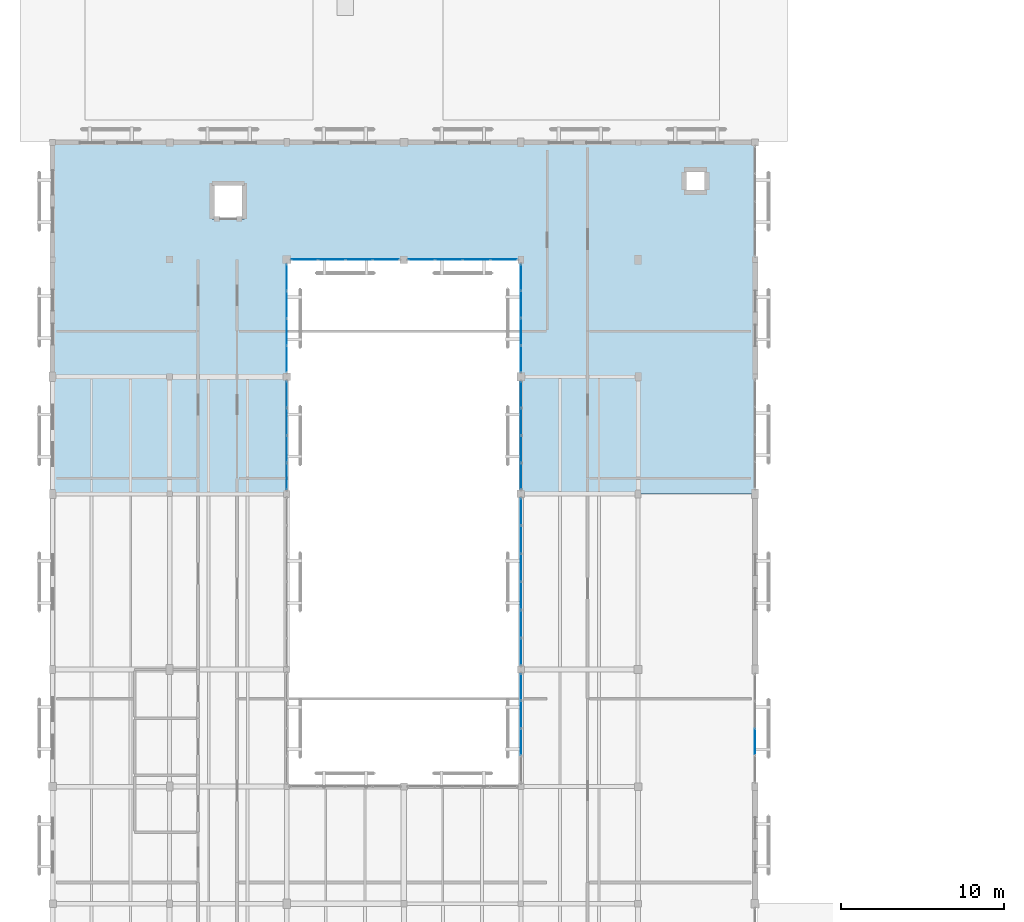
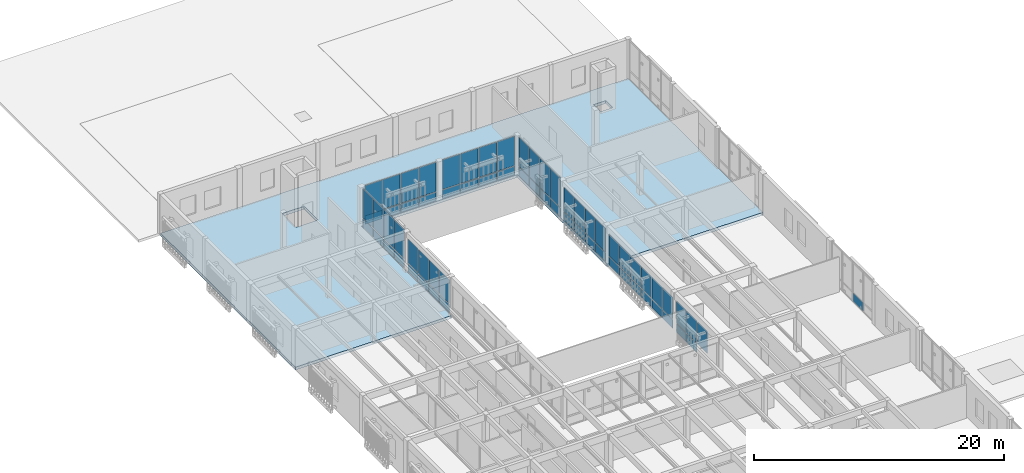
# One storey, part 41 of 61: 66 plates, 1 slab, 9 elements without a shape of their own.
"""IFC4 building model written with IfcOpenShell, lengths in metres."""

from ifc_helpers import new_model, si_unit, direction, frame, origin, origin_2d, place, context, subcontext, project, spatial, polyline, rectangle, outline, extrude, material, layer, layer_set, type_object, element, aggregate, save


model = new_model("IFC4")

# Units and contexts
model_context = context("Model", 3, precision=1e-05, world=origin(), true_north=direction((0.0, 1.0)))
body_context = subcontext(model_context, "Body", "Model", "MODEL_VIEW")
ifc_project = project(units=[si_unit("LENGTHUNIT", "METRE"), si_unit("AREAUNIT", "SQUARE_METRE"), si_unit("VOLUMEUNIT", "CUBIC_METRE"), si_unit("PLANEANGLEUNIT", "RADIAN"), si_unit("MASSUNIT", "GRAM", prefix="KILO")], contexts=[model_context])

# Site, building, storey
site_placement = place(None, origin())
site = spatial("IfcSite", under=ifc_project, at=site_placement, CompositionType="ELEMENT")
building_placement = place(site_placement, origin())
building = spatial("IfcBuilding", under=site, at=building_placement, Name="Mazaris Harbour Polytechnic", CompositionType="ELEMENT")
storey_placement = place(building_placement, frame((0.0, 0.0, 18.0)))
storey = spatial("IfcBuildingStorey", under=building, at=storey_placement, Name="L04", CompositionType="ELEMENT", Elevation=18.0)

# Slab
ifc_material_1 = material(Name="Glulam GL28h and Concrete C30/37", Category="concrete")
ifc_layer_1 = layer(ifc_material_1, 0.280029296875, Name="Glulam GL28h and Concrete C30/37")
ifc_layer_set_1 = layer_set([ifc_layer_1], Name="Glulam GL28h and Concrete C30/37")
slab_type = type_object("IfcSlabType", Name="CLT Composite Floor 280", PredefinedType="FLOOR", material=ifc_layer_set_1)
slab_placement = place(storey_placement, frame((0.0, 0.0, -0.280029296875)))
element("IfcSlab", 1, at=slab_placement, inside=storey, type_object=slab_type, Name="V4 L04 Floor Slab", PredefinedType="FLOOR", context=body_context, shape_type="SweptSolid", body=[
    extrude(outline(polyline([(43.199951171875, 54.0), (28.800048828125, 54.0), (28.800048828125, 68.39990234375), (14.39990234375, 68.39990234375), (14.39990234375, 54.0), (0.0, 54.0), (0.0, 75.60009765625), (43.199951171875, 75.60009765625), (43.199951171875, 54.0)]), holes=[polyline([(11.800048828125, 70.89990234375), (11.800048828125, 73.10009765625), (9.800048828125, 73.10009765625), (9.800048828125, 70.89990234375), (11.800048828125, 70.89990234375)]), polyline([(38.97998046875, 73.800048828125), (38.97998046875, 72.679931640625), (40.10009765625, 72.679931640625), (40.10009765625, 73.800048828125), (38.97998046875, 73.800048828125)])]), origin(), (0.0, 0.0, 1.0), 0.280029296875),
])

# Curtain wall, plate
ifc_material_2 = material(Name="Anodised Bronze Aluminium and Low-E Glass", Category="aluminium")
ifc_layer_2 = layer(ifc_material_2, 0.159912109375, Name="Anodised Bronze Aluminium and Low-E Glass")
ifc_layer_set_2 = layer_set([ifc_layer_2], Name="Anodised Bronze Aluminium and Low-E Glass")
curtain_wall_type = type_object("IfcCurtainWallType", Name="Cloister Court Curtain Wall", PredefinedType="NOTDEFINED", material=ifc_layer_set_2)
curtain_wall_1_placement = place(storey_placement, origin())
curtain_wall_1 = element("IfcCurtainWall", 2, at=curtain_wall_1_placement, inside=storey, type_object=curtain_wall_type, Name="V4 L04 Curtain Wall 164", PredefinedType="NOTDEFINED")
ifc_material_3 = material(Name="Low-E Double Glazing", Category="glass")
ifc_layer_3 = layer(ifc_material_3, 0.028076171875, Name="Low-E Double Glazing")
ifc_layer_set_3 = layer_set([ifc_layer_3], Name="Low-E Double Glazing")
plate_type = type_object("IfcPlateType", Name="Low-E Vision Glass Panel 28", PredefinedType="CURTAIN_PANEL", material=ifc_layer_set_3)
plate_1_placement = place(storey_placement, frame((43.199951171875, 38.746826171875, 0.080078125), z_axis=(0.0, 0.0, 1.0), x_axis=(0.0, -1.0, 0.0)))
plate_1 = element("IfcPlate", 3, at=plate_1_placement, type_object=plate_type, Name="CW-02 panel 3.1", PredefinedType="CURTAIN_PANEL", context=body_context, shape_type="SweptSolid", body=[
    extrude(rectangle(XDim=1.596435546875, YDim=0.028076171875, at=origin_2d()), origin(), (0.0, 0.0, 1.0), 0.830078125),
])
aggregate(curtain_wall_1, [plate_1])

# Curtain wall, plates
curtain_wall_2_placement = place(storey_placement, origin())
curtain_wall_2 = element("IfcCurtainWall", 4, at=curtain_wall_2_placement, inside=storey, type_object=curtain_wall_type, Name="V4 L04 Curtain Wall 169", PredefinedType="NOTDEFINED")
plate_2_placement = place(storey_placement, frame((20.51611328125, 68.39990234375, 0.080078125), z_axis=(0.0, 0.0, 1.0), x_axis=(-1.0, 0.0, 0.0)))
plate_2 = element("IfcPlate", 5, at=plate_2_placement, type_object=plate_type, Name="CW-02 panel 1.1", PredefinedType="CURTAIN_PANEL", context=body_context, shape_type="SweptSolid", body=[
    extrude(rectangle(XDim=1.56396484375, YDim=0.028076171875, at=origin_2d()), origin(), (0.0, 0.0, 1.0), 0.830078125),
])
plate_3_placement = place(storey_placement, frame((20.51611328125, 68.39990234375, 0.990234375), z_axis=(0.0, 0.0, 1.0), x_axis=(-1.0, 0.0, 0.0)))
plate_3 = element("IfcPlate", 6, at=plate_3_placement, type_object=plate_type, Name="CW-02 panel 1.2", PredefinedType="CURTAIN_PANEL", context=body_context, shape_type="SweptSolid", body=[
    extrude(rectangle(XDim=1.56396484375, YDim=0.028076171875, at=origin_2d()), origin(), (0.0, 0.0, 1.0), 2.864990234375),
])
plate_4_placement = place(storey_placement, frame((18.85205078125, 68.39990234375, 0.080078125), z_axis=(0.0, 0.0, 1.0), x_axis=(-1.0, 0.0, 0.0)))
plate_4 = element("IfcPlate", 7, at=plate_4_placement, type_object=plate_type, Name="CW-02 panel 2.1", PredefinedType="CURTAIN_PANEL", context=body_context, shape_type="SweptSolid", body=[
    extrude(rectangle(XDim=1.60400390625, YDim=0.028076171875, at=origin_2d()), origin(), (0.0, 0.0, 1.0), 0.830078125),
])
plate_5_placement = place(storey_placement, frame((18.85205078125, 68.39990234375, 0.990234375), z_axis=(0.0, 0.0, 1.0), x_axis=(-1.0, 0.0, 0.0)))
plate_5 = element("IfcPlate", 8, at=plate_5_placement, type_object=plate_type, Name="CW-02 panel 2.2", PredefinedType="CURTAIN_PANEL", context=body_context, shape_type="SweptSolid", body=[
    extrude(rectangle(XDim=1.60400390625, YDim=0.028076171875, at=origin_2d()), origin(), (0.0, 0.0, 1.0), 2.864990234375),
])
plate_6_placement = place(storey_placement, frame((17.16796875, 68.39990234375, 0.080078125), z_axis=(0.0, 0.0, 1.0), x_axis=(-1.0, 0.0, 0.0)))
plate_6 = element("IfcPlate", 9, at=plate_6_placement, type_object=plate_type, Name="CW-02 panel 3.1", PredefinedType="CURTAIN_PANEL", context=body_context, shape_type="SweptSolid", body=[
    extrude(rectangle(XDim=1.60400390625, YDim=0.028076171875, at=origin_2d()), origin(), (0.0, 0.0, 1.0), 0.830078125),
])
plate_7_placement = place(storey_placement, frame((17.16796875, 68.39990234375, 0.990234375), z_axis=(0.0, 0.0, 1.0), x_axis=(-1.0, 0.0, 0.0)))
plate_7 = element("IfcPlate", 10, at=plate_7_placement, type_object=plate_type, Name="CW-02 panel 3.2", PredefinedType="CURTAIN_PANEL", context=body_context, shape_type="SweptSolid", body=[
    extrude(rectangle(XDim=1.60400390625, YDim=0.028076171875, at=origin_2d()), origin(), (0.0, 0.0, 1.0), 2.864990234375),
])
plate_8_placement = place(storey_placement, frame((15.50390625, 68.39990234375, 0.080078125), z_axis=(0.0, 0.0, 1.0), x_axis=(-1.0, 0.0, 0.0)))
plate_8 = element("IfcPlate", 11, at=plate_8_placement, type_object=plate_type, Name="CW-02 panel 4.1", PredefinedType="CURTAIN_PANEL", context=body_context, shape_type="SweptSolid", body=[
    extrude(rectangle(XDim=1.56396484375, YDim=0.028076171875, at=origin_2d()), origin(), (0.0, 0.0, 1.0), 0.830078125),
])
plate_9_placement = place(storey_placement, frame((15.50390625, 68.39990234375, 0.990234375), z_axis=(0.0, 0.0, 1.0), x_axis=(-1.0, 0.0, 0.0)))
plate_9 = element("IfcPlate", 12, at=plate_9_placement, type_object=plate_type, Name="CW-02 panel 4.2", PredefinedType="CURTAIN_PANEL", context=body_context, shape_type="SweptSolid", body=[
    extrude(rectangle(XDim=1.56396484375, YDim=0.028076171875, at=origin_2d()), origin(), (0.0, 0.0, 1.0), 2.864990234375),
])
aggregate(curtain_wall_2, [plate_2, plate_3, plate_4, plate_5, plate_6, plate_7, plate_8, plate_9])

curtain_wall_3_placement = place(storey_placement, origin())
curtain_wall_3 = element("IfcCurtainWall", 13, at=curtain_wall_3_placement, inside=storey, type_object=curtain_wall_type, Name="V4 L04 Curtain Wall 170", PredefinedType="NOTDEFINED")
plate_10_placement = place(storey_placement, frame((27.75732421875, 68.39990234375, 0.080078125), z_axis=(0.0, 0.0, 1.0), x_axis=(-1.0, 0.0, 0.0)))
plate_10 = element("IfcPlate", 14, at=plate_10_placement, type_object=plate_type, Name="CW-02 panel 1.1", PredefinedType="CURTAIN_PANEL", context=body_context, shape_type="SweptSolid", body=[
    extrude(rectangle(XDim=1.58154296875, YDim=0.028076171875, at=origin_2d()), origin(), (0.0, 0.0, 1.0), 0.830078125),
])
plate_11_placement = place(storey_placement, frame((27.75732421875, 68.39990234375, 0.990234375), z_axis=(0.0, 0.0, 1.0), x_axis=(-1.0, 0.0, 0.0)))
plate_11 = element("IfcPlate", 15, at=plate_11_placement, type_object=plate_type, Name="CW-02 panel 1.2", PredefinedType="CURTAIN_PANEL", context=body_context, shape_type="SweptSolid", body=[
    extrude(rectangle(XDim=1.58154296875, YDim=0.028076171875, at=origin_2d()), origin(), (0.0, 0.0, 1.0), 2.864990234375),
])
plate_12_placement = place(storey_placement, frame((26.07568359375, 68.39990234375, 0.080078125), z_axis=(0.0, 0.0, 1.0), x_axis=(-1.0, 0.0, 0.0)))
plate_12 = element("IfcPlate", 16, at=plate_12_placement, type_object=plate_type, Name="CW-02 panel 2.1", PredefinedType="CURTAIN_PANEL", context=body_context, shape_type="SweptSolid", body=[
    extrude(rectangle(XDim=1.62158203125, YDim=0.028076171875, at=origin_2d()), origin(), (0.0, 0.0, 1.0), 0.830078125),
])
plate_13_placement = place(storey_placement, frame((26.07568359375, 68.39990234375, 0.990234375), z_axis=(0.0, 0.0, 1.0), x_axis=(-1.0, 0.0, 0.0)))
plate_13 = element("IfcPlate", 17, at=plate_13_placement, type_object=plate_type, Name="CW-02 panel 2.2", PredefinedType="CURTAIN_PANEL", context=body_context, shape_type="SweptSolid", body=[
    extrude(rectangle(XDim=1.62158203125, YDim=0.028076171875, at=origin_2d()), origin(), (0.0, 0.0, 1.0), 2.864990234375),
])
plate_14_placement = place(storey_placement, frame((24.374267578125, 68.39990234375, 0.080078125), z_axis=(0.0, 0.0, 1.0), x_axis=(-1.0, 0.0, 0.0)))
plate_14 = element("IfcPlate", 18, at=plate_14_placement, type_object=plate_type, Name="CW-02 panel 3.1", PredefinedType="CURTAIN_PANEL", context=body_context, shape_type="SweptSolid", body=[
    extrude(rectangle(XDim=1.62158203125, YDim=0.028076171875, at=origin_2d()), origin(), (0.0, 0.0, 1.0), 0.830078125),
])
plate_15_placement = place(storey_placement, frame((24.374267578125, 68.39990234375, 0.990234375), z_axis=(0.0, 0.0, 1.0), x_axis=(-1.0, 0.0, 0.0)))
plate_15 = element("IfcPlate", 19, at=plate_15_placement, type_object=plate_type, Name="CW-02 panel 3.2", PredefinedType="CURTAIN_PANEL", context=body_context, shape_type="SweptSolid", body=[
    extrude(rectangle(XDim=1.62158203125, YDim=0.028076171875, at=origin_2d()), origin(), (0.0, 0.0, 1.0), 2.864990234375),
])
plate_16_placement = place(storey_placement, frame((22.69287109375, 68.39990234375, 0.080078125), z_axis=(0.0, 0.0, 1.0), x_axis=(-1.0, 0.0, 0.0)))
plate_16 = element("IfcPlate", 20, at=plate_16_placement, type_object=plate_type, Name="CW-02 panel 4.1", PredefinedType="CURTAIN_PANEL", context=body_context, shape_type="SweptSolid", body=[
    extrude(rectangle(XDim=1.58154296875, YDim=0.028076171875, at=origin_2d()), origin(), (0.0, 0.0, 1.0), 0.830078125),
])
plate_17_placement = place(storey_placement, frame((22.69287109375, 68.39990234375, 0.990234375), z_axis=(0.0, 0.0, 1.0), x_axis=(-1.0, 0.0, 0.0)))
plate_17 = element("IfcPlate", 21, at=plate_17_placement, type_object=plate_type, Name="CW-02 panel 4.2", PredefinedType="CURTAIN_PANEL", context=body_context, shape_type="SweptSolid", body=[
    extrude(rectangle(XDim=1.58154296875, YDim=0.028076171875, at=origin_2d()), origin(), (0.0, 0.0, 1.0), 2.864990234375),
])
aggregate(curtain_wall_3, [plate_10, plate_11, plate_12, plate_13, plate_14, plate_15, plate_16, plate_17])

curtain_wall_4_placement = place(storey_placement, origin())
curtain_wall_4 = element("IfcCurtainWall", 22, at=curtain_wall_4_placement, inside=storey, type_object=curtain_wall_type, Name="V4 L04 Curtain Wall 173", PredefinedType="NOTDEFINED")
plate_18_placement = place(storey_placement, frame((14.39990234375, 55.069091796875, 0.080078125), z_axis=(0.0, 0.0, 1.0), x_axis=(0.0, 1.0, 0.0)))
plate_18 = element("IfcPlate", 23, at=plate_18_placement, type_object=plate_type, Name="CW-02 panel 1.1", PredefinedType="CURTAIN_PANEL", context=body_context, shape_type="SweptSolid", body=[
    extrude(rectangle(XDim=1.573974609375, YDim=0.028076171875, at=origin_2d()), origin(), (0.0, 0.0, 1.0), 0.830078125),
])
plate_19_placement = place(storey_placement, frame((14.39990234375, 55.069091796875, 0.989990234375), z_axis=(0.0, 0.0, 1.0), x_axis=(0.0, 1.0, 0.0)))
plate_19 = element("IfcPlate", 24, at=plate_19_placement, type_object=plate_type, Name="CW-02 panel 1.2", PredefinedType="CURTAIN_PANEL", context=body_context, shape_type="SweptSolid", body=[
    extrude(rectangle(XDim=1.573974609375, YDim=0.028076171875, at=origin_2d()), origin(), (0.0, 0.0, 1.0), 2.3349609375),
])
plate_20_placement = place(storey_placement, frame((14.39990234375, 56.742919921875, 0.080078125), z_axis=(0.0, 0.0, 1.0), x_axis=(0.0, 1.0, 0.0)))
plate_20 = element("IfcPlate", 25, at=plate_20_placement, type_object=plate_type, Name="CW-02 panel 2.1", PredefinedType="CURTAIN_PANEL", context=body_context, shape_type="SweptSolid", body=[
    extrude(rectangle(XDim=1.614013671875, YDim=0.028076171875, at=origin_2d()), origin(), (0.0, 0.0, 1.0), 0.830078125),
])
plate_21_placement = place(storey_placement, frame((14.39990234375, 56.742919921875, 0.989990234375), z_axis=(0.0, 0.0, 1.0), x_axis=(0.0, 1.0, 0.0)))
plate_21 = element("IfcPlate", 26, at=plate_21_placement, type_object=plate_type, Name="CW-02 panel 2.2", PredefinedType="CURTAIN_PANEL", context=body_context, shape_type="SweptSolid", body=[
    extrude(rectangle(XDim=1.614013671875, YDim=0.028076171875, at=origin_2d()), origin(), (0.0, 0.0, 1.0), 2.3349609375),
])
plate_22_placement = place(storey_placement, frame((14.39990234375, 58.43701171875, 0.080078125), z_axis=(0.0, 0.0, 1.0), x_axis=(0.0, 1.0, 0.0)))
plate_22 = element("IfcPlate", 27, at=plate_22_placement, type_object=plate_type, Name="CW-02 panel 3.1", PredefinedType="CURTAIN_PANEL", context=body_context, shape_type="SweptSolid", body=[
    extrude(rectangle(XDim=1.614013671875, YDim=0.028076171875, at=origin_2d()), origin(), (0.0, 0.0, 1.0), 0.830078125),
])
plate_23_placement = place(storey_placement, frame((14.39990234375, 58.43701171875, 0.989990234375), z_axis=(0.0, 0.0, 1.0), x_axis=(0.0, 1.0, 0.0)))
plate_23 = element("IfcPlate", 28, at=plate_23_placement, type_object=plate_type, Name="CW-02 panel 3.2", PredefinedType="CURTAIN_PANEL", context=body_context, shape_type="SweptSolid", body=[
    extrude(rectangle(XDim=1.614013671875, YDim=0.028076171875, at=origin_2d()), origin(), (0.0, 0.0, 1.0), 2.3349609375),
])
plate_24_placement = place(storey_placement, frame((14.39990234375, 60.111083984375, 0.080078125), z_axis=(0.0, 0.0, 1.0), x_axis=(0.0, 1.0, 0.0)))
plate_24 = element("IfcPlate", 29, at=plate_24_placement, type_object=plate_type, Name="CW-02 panel 4.1", PredefinedType="CURTAIN_PANEL", context=body_context, shape_type="SweptSolid", body=[
    extrude(rectangle(XDim=1.573974609375, YDim=0.028076171875, at=origin_2d()), origin(), (0.0, 0.0, 1.0), 0.830078125),
])
plate_25_placement = place(storey_placement, frame((14.39990234375, 60.111083984375, 0.989990234375), z_axis=(0.0, 0.0, 1.0), x_axis=(0.0, 1.0, 0.0)))
plate_25 = element("IfcPlate", 30, at=plate_25_placement, type_object=plate_type, Name="CW-02 panel 4.2", PredefinedType="CURTAIN_PANEL", context=body_context, shape_type="SweptSolid", body=[
    extrude(rectangle(XDim=1.573974609375, YDim=0.028076171875, at=origin_2d()), origin(), (0.0, 0.0, 1.0), 2.3349609375),
])
aggregate(curtain_wall_4, [plate_18, plate_19, plate_20, plate_21, plate_22, plate_23, plate_24, plate_25])

curtain_wall_5_placement = place(storey_placement, origin())
curtain_wall_5 = element("IfcCurtainWall", 31, at=curtain_wall_5_placement, inside=storey, type_object=curtain_wall_type, Name="V4 L04 Curtain Wall 174", PredefinedType="NOTDEFINED")
plate_26_placement = place(storey_placement, frame((14.39990234375, 62.283935546875, 0.080078125), z_axis=(0.0, 0.0, 1.0), x_axis=(0.0, 1.0, 0.0)))
plate_26 = element("IfcPlate", 32, at=plate_26_placement, type_object=plate_type, Name="CW-02 panel 1.1", PredefinedType="CURTAIN_PANEL", context=body_context, shape_type="SweptSolid", body=[
    extrude(rectangle(XDim=1.56396484375, YDim=0.028076171875, at=origin_2d()), origin(), (0.0, 0.0, 1.0), 0.830078125),
])
plate_27_placement = place(storey_placement, frame((14.39990234375, 62.283935546875, 0.990234375), z_axis=(0.0, 0.0, 1.0), x_axis=(0.0, 1.0, 0.0)))
plate_27 = element("IfcPlate", 33, at=plate_27_placement, type_object=plate_type, Name="CW-02 panel 1.2", PredefinedType="CURTAIN_PANEL", context=body_context, shape_type="SweptSolid", body=[
    extrude(rectangle(XDim=1.56396484375, YDim=0.028076171875, at=origin_2d()), origin(), (0.0, 0.0, 1.0), 2.864990234375),
])
plate_28_placement = place(storey_placement, frame((14.39990234375, 63.947998046875, 0.080078125), z_axis=(0.0, 0.0, 1.0), x_axis=(0.0, 1.0, 0.0)))
plate_28 = element("IfcPlate", 34, at=plate_28_placement, type_object=plate_type, Name="CW-02 panel 2.1", PredefinedType="CURTAIN_PANEL", context=body_context, shape_type="SweptSolid", body=[
    extrude(rectangle(XDim=1.60400390625, YDim=0.028076171875, at=origin_2d()), origin(), (0.0, 0.0, 1.0), 0.830078125),
])
plate_29_placement = place(storey_placement, frame((14.39990234375, 63.947998046875, 0.990234375), z_axis=(0.0, 0.0, 1.0), x_axis=(0.0, 1.0, 0.0)))
plate_29 = element("IfcPlate", 35, at=plate_29_placement, type_object=plate_type, Name="CW-02 panel 2.2", PredefinedType="CURTAIN_PANEL", context=body_context, shape_type="SweptSolid", body=[
    extrude(rectangle(XDim=1.60400390625, YDim=0.028076171875, at=origin_2d()), origin(), (0.0, 0.0, 1.0), 2.864990234375),
])
plate_30_placement = place(storey_placement, frame((14.39990234375, 65.632080078125, 0.080078125), z_axis=(0.0, 0.0, 1.0), x_axis=(0.0, 1.0, 0.0)))
plate_30 = element("IfcPlate", 36, at=plate_30_placement, type_object=plate_type, Name="CW-02 panel 3.1", PredefinedType="CURTAIN_PANEL", context=body_context, shape_type="SweptSolid", body=[
    extrude(rectangle(XDim=1.60400390625, YDim=0.028076171875, at=origin_2d()), origin(), (0.0, 0.0, 1.0), 0.830078125),
])
plate_31_placement = place(storey_placement, frame((14.39990234375, 65.632080078125, 0.990234375), z_axis=(0.0, 0.0, 1.0), x_axis=(0.0, 1.0, 0.0)))
plate_31 = element("IfcPlate", 37, at=plate_31_placement, type_object=plate_type, Name="CW-02 panel 3.2", PredefinedType="CURTAIN_PANEL", context=body_context, shape_type="SweptSolid", body=[
    extrude(rectangle(XDim=1.60400390625, YDim=0.028076171875, at=origin_2d()), origin(), (0.0, 0.0, 1.0), 2.864990234375),
])
plate_32_placement = place(storey_placement, frame((14.39990234375, 67.2958984375, 0.080078125), z_axis=(0.0, 0.0, 1.0), x_axis=(0.0, 1.0, 0.0)))
plate_32 = element("IfcPlate", 38, at=plate_32_placement, type_object=plate_type, Name="CW-02 panel 4.1", PredefinedType="CURTAIN_PANEL", context=body_context, shape_type="SweptSolid", body=[
    extrude(rectangle(XDim=1.56396484375, YDim=0.028076171875, at=origin_2d()), origin(), (0.0, 0.0, 1.0), 0.830078125),
])
plate_33_placement = place(storey_placement, frame((14.39990234375, 67.2958984375, 0.990234375), z_axis=(0.0, 0.0, 1.0), x_axis=(0.0, 1.0, 0.0)))
plate_33 = element("IfcPlate", 39, at=plate_33_placement, type_object=plate_type, Name="CW-02 panel 4.2", PredefinedType="CURTAIN_PANEL", context=body_context, shape_type="SweptSolid", body=[
    extrude(rectangle(XDim=1.56396484375, YDim=0.028076171875, at=origin_2d()), origin(), (0.0, 0.0, 1.0), 2.864990234375),
])
aggregate(curtain_wall_5, [plate_26, plate_27, plate_28, plate_29, plate_30, plate_31, plate_32, plate_33])

curtain_wall_6_placement = place(storey_placement, origin())
curtain_wall_6 = element("IfcCurtainWall", 40, at=curtain_wall_6_placement, inside=storey, type_object=curtain_wall_type, Name="V4 L04 Curtain Wall 175", PredefinedType="NOTDEFINED")
plate_34_placement = place(storey_placement, frame((28.800048828125, 42.1259765625, 0.080078125), z_axis=(0.0, 0.0, 1.0), x_axis=(0.0, -1.0, 0.0)))
plate_34 = element("IfcPlate", 41, at=plate_34_placement, type_object=plate_type, Name="CW-02 panel 1.1", PredefinedType="CURTAIN_PANEL", context=body_context, shape_type="SweptSolid", body=[
    extrude(rectangle(XDim=1.583984375, YDim=0.028076171875, at=origin_2d()), origin(), (0.0, 0.0, 1.0), 0.830078125),
])
plate_35_placement = place(storey_placement, frame((28.800048828125, 42.1259765625, 0.98974609375), z_axis=(0.0, 0.0, 1.0), x_axis=(0.0, -1.0, 0.0)))
plate_35 = element("IfcPlate", 42, at=plate_35_placement, type_object=plate_type, Name="CW-02 panel 1.2", PredefinedType="CURTAIN_PANEL", context=body_context, shape_type="SweptSolid", body=[
    extrude(rectangle(XDim=1.583984375, YDim=0.028076171875, at=origin_2d()), origin(), (0.0, 0.0, 1.0), 2.175048828125),
])
plate_36_placement = place(storey_placement, frame((28.800048828125, 40.44189453125, 0.080078125), z_axis=(0.0, 0.0, 1.0), x_axis=(0.0, -1.0, 0.0)))
plate_36 = element("IfcPlate", 43, at=plate_36_placement, type_object=plate_type, Name="CW-02 panel 2.1", PredefinedType="CURTAIN_PANEL", context=body_context, shape_type="SweptSolid", body=[
    extrude(rectangle(XDim=1.6240234375, YDim=0.028076171875, at=origin_2d()), origin(), (0.0, 0.0, 1.0), 0.830078125),
])
plate_37_placement = place(storey_placement, frame((28.800048828125, 40.44189453125, 0.98974609375), z_axis=(0.0, 0.0, 1.0), x_axis=(0.0, -1.0, 0.0)))
plate_37 = element("IfcPlate", 44, at=plate_37_placement, type_object=plate_type, Name="CW-02 panel 2.2", PredefinedType="CURTAIN_PANEL", context=body_context, shape_type="SweptSolid", body=[
    extrude(rectangle(XDim=1.6240234375, YDim=0.028076171875, at=origin_2d()), origin(), (0.0, 0.0, 1.0), 2.175048828125),
])
plate_38_placement = place(storey_placement, frame((28.800048828125, 38.738037109375, 0.98974609375), z_axis=(0.0, 0.0, 1.0), x_axis=(0.0, -1.0, 0.0)))
plate_38 = element("IfcPlate", 45, at=plate_38_placement, type_object=plate_type, Name="CW-02 panel 3.2", PredefinedType="CURTAIN_PANEL", context=body_context, shape_type="SweptSolid", body=[
    extrude(rectangle(XDim=1.6240234375, YDim=0.028076171875, at=origin_2d()), origin(), (0.0, 0.0, 1.0), 2.175048828125),
])
aggregate(curtain_wall_6, [plate_34, plate_35, plate_36, plate_37, plate_38])

curtain_wall_7_placement = place(storey_placement, origin())
curtain_wall_7 = element("IfcCurtainWall", 46, at=curtain_wall_7_placement, inside=storey, type_object=curtain_wall_type, Name="V4 L04 Curtain Wall 176", PredefinedType="NOTDEFINED")
plate_39_placement = place(storey_placement, frame((28.800048828125, 52.893310546875, 0.080078125), z_axis=(0.0, 0.0, 1.0), x_axis=(0.0, -1.0, 0.0)))
plate_39 = element("IfcPlate", 47, at=plate_39_placement, type_object=plate_type, Name="CW-02 panel 1.1", PredefinedType="CURTAIN_PANEL", context=body_context, shape_type="SweptSolid", body=[
    extrude(rectangle(XDim=1.609375, YDim=0.028076171875, at=origin_2d()), origin(), (0.0, 0.0, 1.0), 0.830078125),
])
plate_40_placement = place(storey_placement, frame((28.800048828125, 52.893310546875, 0.990234375), z_axis=(0.0, 0.0, 1.0), x_axis=(0.0, -1.0, 0.0)))
plate_40 = element("IfcPlate", 48, at=plate_40_placement, type_object=plate_type, Name="CW-02 panel 1.2", PredefinedType="CURTAIN_PANEL", context=body_context, shape_type="SweptSolid", body=[
    extrude(rectangle(XDim=1.609375, YDim=0.028076171875, at=origin_2d()), origin(), (0.0, 0.0, 1.0), 2.114990234375),
])
plate_41_placement = place(storey_placement, frame((28.800048828125, 51.18408203125, 0.080078125), z_axis=(0.0, 0.0, 1.0), x_axis=(0.0, -1.0, 0.0)))
plate_41 = element("IfcPlate", 49, at=plate_41_placement, type_object=plate_type, Name="CW-02 panel 2.1", PredefinedType="CURTAIN_PANEL", context=body_context, shape_type="SweptSolid", body=[
    extrude(rectangle(XDim=1.6494140625, YDim=0.028076171875, at=origin_2d()), origin(), (0.0, 0.0, 1.0), 0.830078125),
])
plate_42_placement = place(storey_placement, frame((28.800048828125, 51.18408203125, 0.990234375), z_axis=(0.0, 0.0, 1.0), x_axis=(0.0, -1.0, 0.0)))
plate_42 = element("IfcPlate", 50, at=plate_42_placement, type_object=plate_type, Name="CW-02 panel 2.2", PredefinedType="CURTAIN_PANEL", context=body_context, shape_type="SweptSolid", body=[
    extrude(rectangle(XDim=1.6494140625, YDim=0.028076171875, at=origin_2d()), origin(), (0.0, 0.0, 1.0), 2.114990234375),
])
plate_43_placement = place(storey_placement, frame((28.800048828125, 49.45458984375, 0.080078125), z_axis=(0.0, 0.0, 1.0), x_axis=(0.0, -1.0, 0.0)))
plate_43 = element("IfcPlate", 51, at=plate_43_placement, type_object=plate_type, Name="CW-02 panel 3.1", PredefinedType="CURTAIN_PANEL", context=body_context, shape_type="SweptSolid", body=[
    extrude(rectangle(XDim=1.6494140625, YDim=0.028076171875, at=origin_2d()), origin(), (0.0, 0.0, 1.0), 0.830078125),
])
plate_44_placement = place(storey_placement, frame((28.800048828125, 49.45458984375, 0.990234375), z_axis=(0.0, 0.0, 1.0), x_axis=(0.0, -1.0, 0.0)))
plate_44 = element("IfcPlate", 52, at=plate_44_placement, type_object=plate_type, Name="CW-02 panel 3.2", PredefinedType="CURTAIN_PANEL", context=body_context, shape_type="SweptSolid", body=[
    extrude(rectangle(XDim=1.6494140625, YDim=0.028076171875, at=origin_2d()), origin(), (0.0, 0.0, 1.0), 2.114990234375),
])
plate_45_placement = place(storey_placement, frame((28.800048828125, 47.725341796875, 0.080078125), z_axis=(0.0, 0.0, 1.0), x_axis=(0.0, -1.0, 0.0)))
plate_45 = element("IfcPlate", 53, at=plate_45_placement, type_object=plate_type, Name="CW-02 panel 4.1", PredefinedType="CURTAIN_PANEL", context=body_context, shape_type="SweptSolid", body=[
    extrude(rectangle(XDim=1.6494140625, YDim=0.028076171875, at=origin_2d()), origin(), (0.0, 0.0, 1.0), 0.830078125),
])
plate_46_placement = place(storey_placement, frame((28.800048828125, 47.725341796875, 0.990234375), z_axis=(0.0, 0.0, 1.0), x_axis=(0.0, -1.0, 0.0)))
plate_46 = element("IfcPlate", 54, at=plate_46_placement, type_object=plate_type, Name="CW-02 panel 4.2", PredefinedType="CURTAIN_PANEL", context=body_context, shape_type="SweptSolid", body=[
    extrude(rectangle(XDim=1.6494140625, YDim=0.028076171875, at=origin_2d()), origin(), (0.0, 0.0, 1.0), 2.114990234375),
])
plate_47_placement = place(storey_placement, frame((28.800048828125, 45.99609375, 0.080078125), z_axis=(0.0, 0.0, 1.0), x_axis=(0.0, -1.0, 0.0)))
plate_47 = element("IfcPlate", 55, at=plate_47_placement, type_object=plate_type, Name="CW-02 panel 5.1", PredefinedType="CURTAIN_PANEL", context=body_context, shape_type="SweptSolid", body=[
    extrude(rectangle(XDim=1.6494140625, YDim=0.028076171875, at=origin_2d()), origin(), (0.0, 0.0, 1.0), 0.830078125),
])
plate_48_placement = place(storey_placement, frame((28.800048828125, 45.99609375, 0.990234375), z_axis=(0.0, 0.0, 1.0), x_axis=(0.0, -1.0, 0.0)))
plate_48 = element("IfcPlate", 56, at=plate_48_placement, type_object=plate_type, Name="CW-02 panel 5.2", PredefinedType="CURTAIN_PANEL", context=body_context, shape_type="SweptSolid", body=[
    extrude(rectangle(XDim=1.6494140625, YDim=0.028076171875, at=origin_2d()), origin(), (0.0, 0.0, 1.0), 2.114990234375),
])
plate_49_placement = place(storey_placement, frame((28.800048828125, 44.28662109375, 0.080078125), z_axis=(0.0, 0.0, 1.0), x_axis=(0.0, -1.0, 0.0)))
plate_49 = element("IfcPlate", 57, at=plate_49_placement, type_object=plate_type, Name="CW-02 panel 6.1", PredefinedType="CURTAIN_PANEL", context=body_context, shape_type="SweptSolid", body=[
    extrude(rectangle(XDim=1.609375, YDim=0.028076171875, at=origin_2d()), origin(), (0.0, 0.0, 1.0), 0.830078125),
])
plate_50_placement = place(storey_placement, frame((28.800048828125, 44.28662109375, 0.990234375), z_axis=(0.0, 0.0, 1.0), x_axis=(0.0, -1.0, 0.0)))
plate_50 = element("IfcPlate", 58, at=plate_50_placement, type_object=plate_type, Name="CW-02 panel 6.2", PredefinedType="CURTAIN_PANEL", context=body_context, shape_type="SweptSolid", body=[
    extrude(rectangle(XDim=1.609375, YDim=0.028076171875, at=origin_2d()), origin(), (0.0, 0.0, 1.0), 2.114990234375),
])
aggregate(curtain_wall_7, [plate_39, plate_40, plate_41, plate_42, plate_43, plate_44, plate_45, plate_46, plate_47, plate_48, plate_49, plate_50])

curtain_wall_8_placement = place(storey_placement, origin())
curtain_wall_8 = element("IfcCurtainWall", 59, at=curtain_wall_8_placement, inside=storey, type_object=curtain_wall_type, Name="V4 L04 Curtain Wall 177", PredefinedType="NOTDEFINED")
plate_51_placement = place(storey_placement, frame((28.800048828125, 60.095947265625, 0.080078125), z_axis=(0.0, 0.0, 1.0), x_axis=(0.0, -1.0, 0.0)))
plate_51 = element("IfcPlate", 60, at=plate_51_placement, type_object=plate_type, Name="CW-02 panel 1.1", PredefinedType="CURTAIN_PANEL", context=body_context, shape_type="SweptSolid", body=[
    extrude(rectangle(XDim=1.56396484375, YDim=0.028076171875, at=origin_2d()), origin(), (0.0, 0.0, 1.0), 0.830078125),
])
plate_52_placement = place(storey_placement, frame((28.800048828125, 60.095947265625, 0.989990234375), z_axis=(0.0, 0.0, 1.0), x_axis=(0.0, -1.0, 0.0)))
plate_52 = element("IfcPlate", 61, at=plate_52_placement, type_object=plate_type, Name="CW-02 panel 1.2", PredefinedType="CURTAIN_PANEL", context=body_context, shape_type="SweptSolid", body=[
    extrude(rectangle(XDim=1.56396484375, YDim=0.028076171875, at=origin_2d()), origin(), (0.0, 0.0, 1.0), 2.3349609375),
])
plate_53_placement = place(storey_placement, frame((28.800048828125, 58.431884765625, 0.080078125), z_axis=(0.0, 0.0, 1.0), x_axis=(0.0, -1.0, 0.0)))
plate_53 = element("IfcPlate", 62, at=plate_53_placement, type_object=plate_type, Name="CW-02 panel 2.1", PredefinedType="CURTAIN_PANEL", context=body_context, shape_type="SweptSolid", body=[
    extrude(rectangle(XDim=1.60400390625, YDim=0.028076171875, at=origin_2d()), origin(), (0.0, 0.0, 1.0), 0.830078125),
])
plate_54_placement = place(storey_placement, frame((28.800048828125, 58.431884765625, 0.989990234375), z_axis=(0.0, 0.0, 1.0), x_axis=(0.0, -1.0, 0.0)))
plate_54 = element("IfcPlate", 63, at=plate_54_placement, type_object=plate_type, Name="CW-02 panel 2.2", PredefinedType="CURTAIN_PANEL", context=body_context, shape_type="SweptSolid", body=[
    extrude(rectangle(XDim=1.60400390625, YDim=0.028076171875, at=origin_2d()), origin(), (0.0, 0.0, 1.0), 2.3349609375),
])
plate_55_placement = place(storey_placement, frame((28.800048828125, 56.748046875, 0.080078125), z_axis=(0.0, 0.0, 1.0), x_axis=(0.0, -1.0, 0.0)))
plate_55 = element("IfcPlate", 64, at=plate_55_placement, type_object=plate_type, Name="CW-02 panel 3.1", PredefinedType="CURTAIN_PANEL", context=body_context, shape_type="SweptSolid", body=[
    extrude(rectangle(XDim=1.60400390625, YDim=0.028076171875, at=origin_2d()), origin(), (0.0, 0.0, 1.0), 0.830078125),
])
plate_56_placement = place(storey_placement, frame((28.800048828125, 56.748046875, 0.989990234375), z_axis=(0.0, 0.0, 1.0), x_axis=(0.0, -1.0, 0.0)))
plate_56 = element("IfcPlate", 65, at=plate_56_placement, type_object=plate_type, Name="CW-02 panel 3.2", PredefinedType="CURTAIN_PANEL", context=body_context, shape_type="SweptSolid", body=[
    extrude(rectangle(XDim=1.60400390625, YDim=0.028076171875, at=origin_2d()), origin(), (0.0, 0.0, 1.0), 2.3349609375),
])
plate_57_placement = place(storey_placement, frame((28.800048828125, 55.083984375, 0.080078125), z_axis=(0.0, 0.0, 1.0), x_axis=(0.0, -1.0, 0.0)))
plate_57 = element("IfcPlate", 66, at=plate_57_placement, type_object=plate_type, Name="CW-02 panel 4.1", PredefinedType="CURTAIN_PANEL", context=body_context, shape_type="SweptSolid", body=[
    extrude(rectangle(XDim=1.56396484375, YDim=0.028076171875, at=origin_2d()), origin(), (0.0, 0.0, 1.0), 0.830078125),
])
plate_58_placement = place(storey_placement, frame((28.800048828125, 55.083984375, 0.989990234375), z_axis=(0.0, 0.0, 1.0), x_axis=(0.0, -1.0, 0.0)))
plate_58 = element("IfcPlate", 67, at=plate_58_placement, type_object=plate_type, Name="CW-02 panel 4.2", PredefinedType="CURTAIN_PANEL", context=body_context, shape_type="SweptSolid", body=[
    extrude(rectangle(XDim=1.56396484375, YDim=0.028076171875, at=origin_2d()), origin(), (0.0, 0.0, 1.0), 2.3349609375),
])
aggregate(curtain_wall_8, [plate_51, plate_52, plate_53, plate_54, plate_55, plate_56, plate_57, plate_58])

curtain_wall_9_placement = place(storey_placement, origin())
curtain_wall_9 = element("IfcCurtainWall", 68, at=curtain_wall_9_placement, inside=storey, type_object=curtain_wall_type, Name="V4 L04 Curtain Wall 178", PredefinedType="NOTDEFINED")
plate_59_placement = place(storey_placement, frame((28.800048828125, 67.30712890625, 0.080078125), z_axis=(0.0, 0.0, 1.0), x_axis=(0.0, -1.0, 0.0)))
plate_59 = element("IfcPlate", 69, at=plate_59_placement, type_object=plate_type, Name="CW-02 panel 1.1", PredefinedType="CURTAIN_PANEL", context=body_context, shape_type="SweptSolid", body=[
    extrude(rectangle(XDim=1.5615234375, YDim=0.028076171875, at=origin_2d()), origin(), (0.0, 0.0, 1.0), 0.830078125),
])
plate_60_placement = place(storey_placement, frame((28.800048828125, 67.30712890625, 0.990234375), z_axis=(0.0, 0.0, 1.0), x_axis=(0.0, -1.0, 0.0)))
plate_60 = element("IfcPlate", 70, at=plate_60_placement, type_object=plate_type, Name="CW-02 panel 1.2", PredefinedType="CURTAIN_PANEL", context=body_context, shape_type="SweptSolid", body=[
    extrude(rectangle(XDim=1.5615234375, YDim=0.028076171875, at=origin_2d()), origin(), (0.0, 0.0, 1.0), 2.864990234375),
])
plate_61_placement = place(storey_placement, frame((28.800048828125, 65.645751953125, 0.080078125), z_axis=(0.0, 0.0, 1.0), x_axis=(0.0, -1.0, 0.0)))
plate_61 = element("IfcPlate", 71, at=plate_61_placement, type_object=plate_type, Name="CW-02 panel 2.1", PredefinedType="CURTAIN_PANEL", context=body_context, shape_type="SweptSolid", body=[
    extrude(rectangle(XDim=1.6015625, YDim=0.028076171875, at=origin_2d()), origin(), (0.0, 0.0, 1.0), 0.830078125),
])
plate_62_placement = place(storey_placement, frame((28.800048828125, 65.645751953125, 0.990234375), z_axis=(0.0, 0.0, 1.0), x_axis=(0.0, -1.0, 0.0)))
plate_62 = element("IfcPlate", 72, at=plate_62_placement, type_object=plate_type, Name="CW-02 panel 2.2", PredefinedType="CURTAIN_PANEL", context=body_context, shape_type="SweptSolid", body=[
    extrude(rectangle(XDim=1.6015625, YDim=0.028076171875, at=origin_2d()), origin(), (0.0, 0.0, 1.0), 2.864990234375),
])
plate_63_placement = place(storey_placement, frame((28.800048828125, 63.96435546875, 0.080078125), z_axis=(0.0, 0.0, 1.0), x_axis=(0.0, -1.0, 0.0)))
plate_63 = element("IfcPlate", 73, at=plate_63_placement, type_object=plate_type, Name="CW-02 panel 3.1", PredefinedType="CURTAIN_PANEL", context=body_context, shape_type="SweptSolid", body=[
    extrude(rectangle(XDim=1.6015625, YDim=0.028076171875, at=origin_2d()), origin(), (0.0, 0.0, 1.0), 0.830078125),
])
plate_64_placement = place(storey_placement, frame((28.800048828125, 63.96435546875, 0.990234375), z_axis=(0.0, 0.0, 1.0), x_axis=(0.0, -1.0, 0.0)))
plate_64 = element("IfcPlate", 74, at=plate_64_placement, type_object=plate_type, Name="CW-02 panel 3.2", PredefinedType="CURTAIN_PANEL", context=body_context, shape_type="SweptSolid", body=[
    extrude(rectangle(XDim=1.6015625, YDim=0.028076171875, at=origin_2d()), origin(), (0.0, 0.0, 1.0), 2.864990234375),
])
plate_65_placement = place(storey_placement, frame((28.800048828125, 62.302734375, 0.080078125), z_axis=(0.0, 0.0, 1.0), x_axis=(0.0, -1.0, 0.0)))
plate_65 = element("IfcPlate", 75, at=plate_65_placement, type_object=plate_type, Name="CW-02 panel 4.1", PredefinedType="CURTAIN_PANEL", context=body_context, shape_type="SweptSolid", body=[
    extrude(rectangle(XDim=1.5615234375, YDim=0.028076171875, at=origin_2d()), origin(), (0.0, 0.0, 1.0), 0.830078125),
])
plate_66_placement = place(storey_placement, frame((28.800048828125, 62.302734375, 0.990234375), z_axis=(0.0, 0.0, 1.0), x_axis=(0.0, -1.0, 0.0)))
plate_66 = element("IfcPlate", 76, at=plate_66_placement, type_object=plate_type, Name="CW-02 panel 4.2", PredefinedType="CURTAIN_PANEL", context=body_context, shape_type="SweptSolid", body=[
    extrude(rectangle(XDim=1.5615234375, YDim=0.028076171875, at=origin_2d()), origin(), (0.0, 0.0, 1.0), 2.864990234375),
])
aggregate(curtain_wall_9, [plate_59, plate_60, plate_61, plate_62, plate_63, plate_64, plate_65, plate_66])

save(model, "model.ifc")
